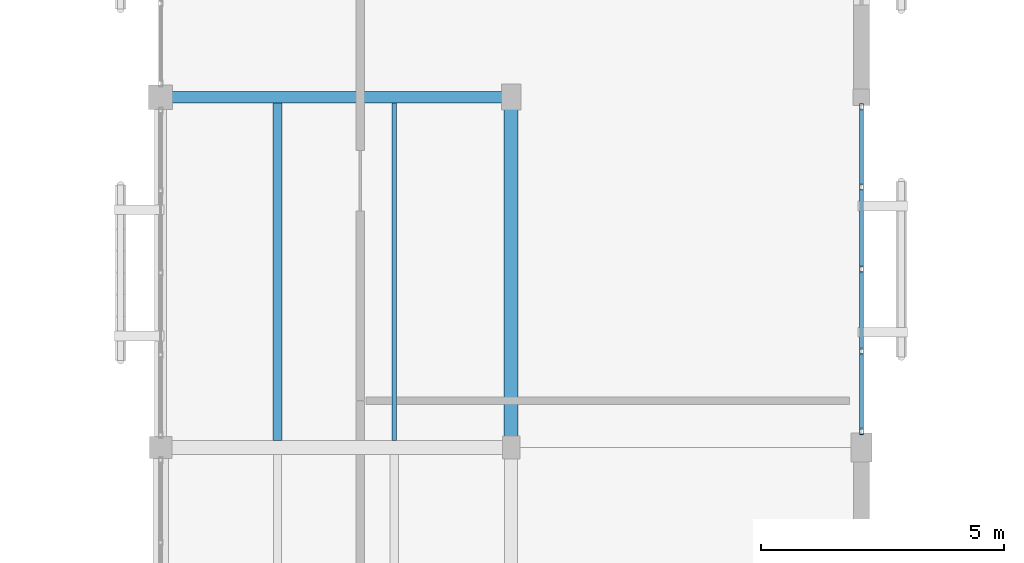
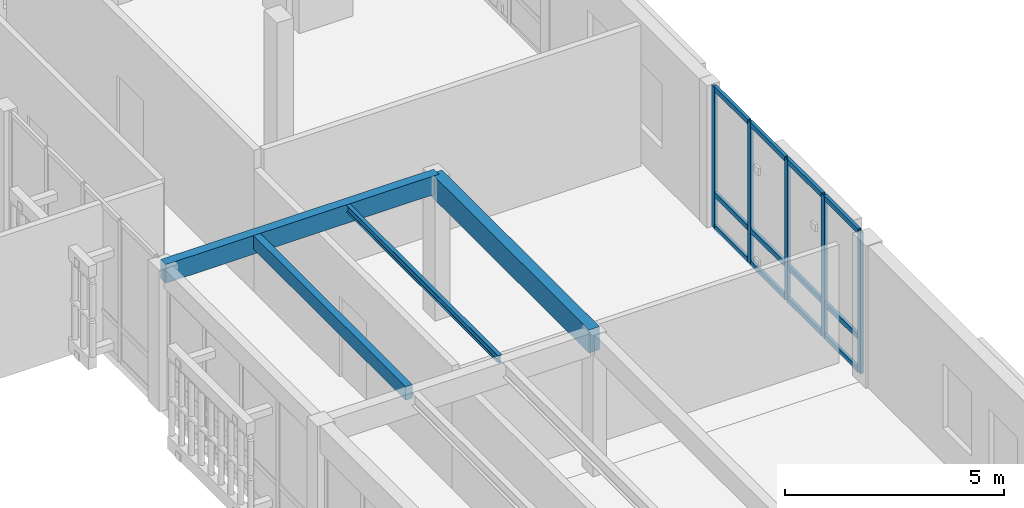
# One storey, part 28 of 61: 17 members, 4 beams, 1 element without a shape of its own.
"""IFC4 building model written with IfcOpenShell, lengths in metres."""

from ifc_helpers import new_model, si_unit, direction, frame, origin, origin_2d, place, context, subcontext, project, spatial, rectangle, hollow_rectangle, i_section, extrude, material, layer, layer_set, material_profile, profile_set, type_object, element, aggregate, save


model = new_model("IFC4")

# Units and contexts
model_context = context("Model", 3, precision=1e-05, world=origin(), true_north=direction((0.0, 1.0)))
body_context = subcontext(model_context, "Body", "Model", "MODEL_VIEW")
ifc_project = project(units=[si_unit("LENGTHUNIT", "METRE"), si_unit("AREAUNIT", "SQUARE_METRE"), si_unit("VOLUMEUNIT", "CUBIC_METRE"), si_unit("PLANEANGLEUNIT", "RADIAN"), si_unit("MASSUNIT", "GRAM", prefix="KILO")], contexts=[model_context])

# Site, building, storey
site_placement = place(None, origin())
site = spatial("IfcSite", under=ifc_project, at=site_placement, CompositionType="ELEMENT")
building_placement = place(site_placement, origin())
building = spatial("IfcBuilding", under=site, at=building_placement, Name="Mazaris Harbour Polytechnic", CompositionType="ELEMENT")
storey_placement = place(building_placement, frame((0.0, 0.0, 18.0)))
storey = spatial("IfcBuildingStorey", under=building, at=storey_placement, Name="L04", CompositionType="ELEMENT", Elevation=18.0)

# Curtain wall, members
ifc_material_1 = material(Name="Anodised Bronze Aluminium and Low-E Glass", Category="aluminium")
ifc_layer = layer(ifc_material_1, 0.159912109375, Name="Anodised Bronze Aluminium and Low-E Glass")
ifc_layer_set = layer_set([ifc_layer], Name="Anodised Bronze Aluminium and Low-E Glass")
curtain_wall_type = type_object("IfcCurtainWallType", Name="Cloister Court Curtain Wall", PredefinedType="NOTDEFINED", material=ifc_layer_set)
curtain_wall_placement = place(storey_placement, origin())
curtain_wall = element("IfcCurtainWall", 1, at=curtain_wall_placement, inside=storey, type_object=curtain_wall_type, Name="V4 L04 Curtain Wall 165", PredefinedType="NOTDEFINED")
ifc_material_2 = material(Name="Anodised Bronze Steel S355", Category="steel")
ifc_material_profile_1 = material_profile(ifc_material_2, hollow_rectangle(XDim=0.080078125, YDim=0.139892578125, WallThickness=0.00634765625, at=origin_2d()), Name="RHS 80x140x6.3")
ifc_profile_set_1 = profile_set([ifc_material_profile_1], Name="Anodised Bronze Steel S355")
member_type_1 = type_object("IfcMemberType", Name="Curtain Mullion RHS80x140", PredefinedType="MULLION", material=ifc_profile_set_1)
member_1_placement = place(storey_placement, frame((43.199951171875, 60.998046875, 0.0), z_axis=(0.0, 0.0, 1.0), x_axis=(1.0, 0.0, 0.0)))
member_1 = element("IfcMember", 2, at=member_1_placement, type_object=member_type_1, Name="CW-02 mullion 1", PredefinedType="MULLION", context=body_context, shape_type="SweptSolid", body=[
    extrude(hollow_rectangle(XDim=0.080078125, YDim=0.139892578125, WallThickness=0.00634765625, at=origin_2d()), origin(), (0.0, 0.0, 1.0), 3.93505859375),
])
member_2_placement = place(storey_placement, frame((43.199951171875, 59.3515625, 0.0), z_axis=(0.0, 0.0, 1.0), x_axis=(1.0, 0.0, 0.0)))
member_2 = element("IfcMember", 3, at=member_2_placement, type_object=member_type_1, Name="CW-02 mullion 2", PredefinedType="MULLION", context=body_context, shape_type="SweptSolid", body=[
    extrude(hollow_rectangle(XDim=0.080078125, YDim=0.139892578125, WallThickness=0.00634765625, at=origin_2d()), origin(), (0.0, 0.0, 1.0), 3.93505859375),
])
member_3_placement = place(storey_placement, frame((43.199951171875, 57.6650390625, 0.0), z_axis=(0.0, 0.0, 1.0), x_axis=(1.0, 0.0, 0.0)))
member_3 = element("IfcMember", 4, at=member_3_placement, type_object=member_type_1, Name="CW-02 mullion 3", PredefinedType="MULLION", context=body_context, shape_type="SweptSolid", body=[
    extrude(hollow_rectangle(XDim=0.080078125, YDim=0.139892578125, WallThickness=0.00634765625, at=origin_2d()), origin(), (0.0, 0.0, 1.0), 3.93505859375),
])
member_4_placement = place(storey_placement, frame((43.199951171875, 55.978515625, 0.0), z_axis=(0.0, 0.0, 1.0), x_axis=(1.0, 0.0, 0.0)))
member_4 = element("IfcMember", 5, at=member_4_placement, type_object=member_type_1, Name="CW-02 mullion 4", PredefinedType="MULLION", context=body_context, shape_type="SweptSolid", body=[
    extrude(hollow_rectangle(XDim=0.080078125, YDim=0.139892578125, WallThickness=0.00634765625, at=origin_2d()), origin(), (0.0, 0.0, 1.0), 3.93505859375),
])
member_5_placement = place(storey_placement, frame((43.199951171875, 54.33203125, 0.0), z_axis=(0.0, 0.0, 1.0), x_axis=(1.0, 0.0, 0.0)))
member_5 = element("IfcMember", 6, at=member_5_placement, type_object=member_type_1, Name="CW-02 mullion 5", PredefinedType="MULLION", context=body_context, shape_type="SweptSolid", body=[
    extrude(hollow_rectangle(XDim=0.080078125, YDim=0.139892578125, WallThickness=0.00634765625, at=origin_2d()), origin(), (0.0, 0.0, 1.0), 3.93505859375),
])
ifc_material_3 = material(Name="Anodised Bronze Steel S355", Category="steel")
ifc_material_profile_2 = material_profile(ifc_material_3, hollow_rectangle(XDim=0.080078125, YDim=0.139892578125, WallThickness=0.00634765625, at=origin_2d()), Name="RHS 80x140x6.3")
ifc_profile_set_2 = profile_set([ifc_material_profile_2], Name="Anodised Bronze Steel S355")
member_type_2 = type_object("IfcMemberType", Name="Curtain Transom RHS80x140", PredefinedType="USERDEFINED", material=ifc_profile_set_2)
member_6_placement = place(storey_placement, frame((43.199951171875, 60.9580078125, 0.0400390625), z_axis=(0.0, -1.0, 0.0), x_axis=(1.0, 0.0, 0.0)))
member_6 = element("IfcMember", 7, at=member_6_placement, type_object=member_type_2, Name="CW-02 transom 1.1", ObjectType="TRANSOM", PredefinedType="USERDEFINED", context=body_context, shape_type="SweptSolid", body=[
    extrude(hollow_rectangle(XDim=0.080078125, YDim=0.139892578125, WallThickness=0.00634765625, at=origin_2d()), origin(), (0.0, 0.0, 1.0), 1.56640625),
])
member_7_placement = place(storey_placement, frame((43.199951171875, 60.9580078125, 0.949951171875), z_axis=(0.0, -1.0, 0.0), x_axis=(1.0, 0.0, 0.0)))
member_7 = element("IfcMember", 8, at=member_7_placement, type_object=member_type_2, Name="CW-02 transom 1.2", ObjectType="TRANSOM", PredefinedType="USERDEFINED", context=body_context, shape_type="SweptSolid", body=[
    extrude(hollow_rectangle(XDim=0.080078125, YDim=0.139892578125, WallThickness=0.00634765625, at=origin_2d()), origin(), (0.0, 0.0, 1.0), 1.56640625),
])
member_8_placement = place(storey_placement, frame((43.199951171875, 60.9580078125, 3.89501953125), z_axis=(0.0, -1.0, 0.0), x_axis=(1.0, 0.0, 0.0)))
member_8 = element("IfcMember", 9, at=member_8_placement, type_object=member_type_2, Name="CW-02 transom 1.3", ObjectType="TRANSOM", PredefinedType="USERDEFINED", context=body_context, shape_type="SweptSolid", body=[
    extrude(hollow_rectangle(XDim=0.080078125, YDim=0.139892578125, WallThickness=0.00634765625, at=origin_2d()), origin(), (0.0, 0.0, 1.0), 1.56640625),
])
member_9_placement = place(storey_placement, frame((43.199951171875, 59.3115234375, 0.0400390625), z_axis=(0.0, -1.0, 0.0), x_axis=(1.0, 0.0, 0.0)))
member_9 = element("IfcMember", 10, at=member_9_placement, type_object=member_type_2, Name="CW-02 transom 2.1", ObjectType="TRANSOM", PredefinedType="USERDEFINED", context=body_context, shape_type="SweptSolid", body=[
    extrude(hollow_rectangle(XDim=0.080078125, YDim=0.139892578125, WallThickness=0.00634765625, at=origin_2d()), origin(), (0.0, 0.0, 1.0), 1.6064453125),
])
member_10_placement = place(storey_placement, frame((43.199951171875, 59.3115234375, 0.949951171875), z_axis=(0.0, -1.0, 0.0), x_axis=(1.0, 0.0, 0.0)))
member_10 = element("IfcMember", 11, at=member_10_placement, type_object=member_type_2, Name="CW-02 transom 2.2", ObjectType="TRANSOM", PredefinedType="USERDEFINED", context=body_context, shape_type="SweptSolid", body=[
    extrude(hollow_rectangle(XDim=0.080078125, YDim=0.139892578125, WallThickness=0.00634765625, at=origin_2d()), origin(), (0.0, 0.0, 1.0), 1.6064453125),
])
member_11_placement = place(storey_placement, frame((43.199951171875, 59.3115234375, 3.89501953125), z_axis=(0.0, -1.0, 0.0), x_axis=(1.0, 0.0, 0.0)))
member_11 = element("IfcMember", 12, at=member_11_placement, type_object=member_type_2, Name="CW-02 transom 2.3", ObjectType="TRANSOM", PredefinedType="USERDEFINED", context=body_context, shape_type="SweptSolid", body=[
    extrude(hollow_rectangle(XDim=0.080078125, YDim=0.139892578125, WallThickness=0.00634765625, at=origin_2d()), origin(), (0.0, 0.0, 1.0), 1.6064453125),
])
member_12_placement = place(storey_placement, frame((43.199951171875, 57.625, 0.0400390625), z_axis=(0.0, -1.0, 0.0), x_axis=(1.0, 0.0, 0.0)))
member_12 = element("IfcMember", 13, at=member_12_placement, type_object=member_type_2, Name="CW-02 transom 3.1", ObjectType="TRANSOM", PredefinedType="USERDEFINED", context=body_context, shape_type="SweptSolid", body=[
    extrude(hollow_rectangle(XDim=0.080078125, YDim=0.139892578125, WallThickness=0.00634765625, at=origin_2d()), origin(), (0.0, 0.0, 1.0), 1.6064453125),
])
member_13_placement = place(storey_placement, frame((43.199951171875, 57.625, 0.949951171875), z_axis=(0.0, -1.0, 0.0), x_axis=(1.0, 0.0, 0.0)))
member_13 = element("IfcMember", 14, at=member_13_placement, type_object=member_type_2, Name="CW-02 transom 3.2", ObjectType="TRANSOM", PredefinedType="USERDEFINED", context=body_context, shape_type="SweptSolid", body=[
    extrude(hollow_rectangle(XDim=0.080078125, YDim=0.139892578125, WallThickness=0.00634765625, at=origin_2d()), origin(), (0.0, 0.0, 1.0), 1.6064453125),
])
member_14_placement = place(storey_placement, frame((43.199951171875, 57.625, 3.89501953125), z_axis=(0.0, -1.0, 0.0), x_axis=(1.0, 0.0, 0.0)))
member_14 = element("IfcMember", 15, at=member_14_placement, type_object=member_type_2, Name="CW-02 transom 3.3", ObjectType="TRANSOM", PredefinedType="USERDEFINED", context=body_context, shape_type="SweptSolid", body=[
    extrude(hollow_rectangle(XDim=0.080078125, YDim=0.139892578125, WallThickness=0.00634765625, at=origin_2d()), origin(), (0.0, 0.0, 1.0), 1.6064453125),
])
member_15_placement = place(storey_placement, frame((43.199951171875, 55.9384765625, 0.0400390625), z_axis=(0.0, -1.0, 0.0), x_axis=(1.0, 0.0, 0.0)))
member_15 = element("IfcMember", 16, at=member_15_placement, type_object=member_type_2, Name="CW-02 transom 4.1", ObjectType="TRANSOM", PredefinedType="USERDEFINED", context=body_context, shape_type="SweptSolid", body=[
    extrude(hollow_rectangle(XDim=0.080078125, YDim=0.139892578125, WallThickness=0.00634765625, at=origin_2d()), origin(), (0.0, 0.0, 1.0), 1.56640625),
])
member_16_placement = place(storey_placement, frame((43.199951171875, 55.9384765625, 0.949951171875), z_axis=(0.0, -1.0, 0.0), x_axis=(1.0, 0.0, 0.0)))
member_16 = element("IfcMember", 17, at=member_16_placement, type_object=member_type_2, Name="CW-02 transom 4.2", ObjectType="TRANSOM", PredefinedType="USERDEFINED", context=body_context, shape_type="SweptSolid", body=[
    extrude(hollow_rectangle(XDim=0.080078125, YDim=0.139892578125, WallThickness=0.00634765625, at=origin_2d()), origin(), (0.0, 0.0, 1.0), 1.56640625),
])
member_17_placement = place(storey_placement, frame((43.199951171875, 55.9384765625, 3.89501953125), z_axis=(0.0, -1.0, 0.0), x_axis=(1.0, 0.0, 0.0)))
member_17 = element("IfcMember", 18, at=member_17_placement, type_object=member_type_2, Name="CW-02 transom 4.3", ObjectType="TRANSOM", PredefinedType="USERDEFINED", context=body_context, shape_type="SweptSolid", body=[
    extrude(hollow_rectangle(XDim=0.080078125, YDim=0.139892578125, WallThickness=0.00634765625, at=origin_2d()), origin(), (0.0, 0.0, 1.0), 1.56640625),
])
aggregate(curtain_wall, [member_1, member_2, member_3, member_4, member_5, member_6, member_7, member_8, member_9, member_10, member_11, member_12, member_13, member_14, member_15, member_16, member_17])

# Beams
ifc_material_4 = material(Name="Glulam GL32h", Category="wood")
ifc_material_profile_3 = material_profile(ifc_material_4, rectangle(XDim=0.239990234375, YDim=0.52001953125, at=origin_2d()), Name="RECT240x520")
ifc_profile_set_3 = profile_set([ifc_material_profile_3], Name="Glulam GL32h")
beam_type_1 = type_object("IfcBeamType", Name="Glulam Girder 240x520 Exterior", PredefinedType="BEAM", material=ifc_profile_set_3)
beam_1_placement = place(storey_placement, frame((28.800048828125, 61.199951171875, 3.675048828125), z_axis=(1.0, 0.0, 0.0), x_axis=(0.0, 1.0, 0.0)))
element("IfcBeam", 19, at=beam_1_placement, inside=storey, type_object=beam_type_1, Name="V4 L04 Girder 2395", PredefinedType="BEAM", context=body_context, shape_type="SweptSolid", body=[
    extrude(rectangle(XDim=0.239990234375, YDim=0.52001953125, at=origin_2d()), origin(), (0.0, 0.0, 1.0), 7.199951171875),
])
ifc_material_5 = material(Name="Glulam GL32h", Category="wood")
ifc_material_profile_4 = material_profile(ifc_material_5, rectangle(XDim=0.280029296875, YDim=0.639892578125, at=origin_2d()), Name="RECT280x640")
ifc_profile_set_4 = profile_set([ifc_material_profile_4], Name="Glulam GL32h")
beam_type_2 = type_object("IfcBeamType", Name="Glulam Girder 280x640 Exterior", PredefinedType="BEAM", material=ifc_profile_set_4)
beam_2_placement = place(storey_placement, frame((36.0, 54.0, 3.614990234375), z_axis=(0.0, 1.0, 0.0), x_axis=(-1.0, 0.0, 0.0)))
element("IfcBeam", 20, at=beam_2_placement, inside=storey, type_object=beam_type_2, Name="V4 L04 Tie Girder 2432", PredefinedType="BEAM", context=body_context, shape_type="SweptSolid", body=[
    extrude(rectangle(XDim=0.280029296875, YDim=0.639892578125, at=origin_2d()), origin(), (0.0, 0.0, 1.0), 7.199951171875),
])
ifc_material_6 = material(Name="Glulam GL28h", Category="wood")
ifc_material_profile_5 = material_profile(ifc_material_6, rectangle(XDim=0.179931640625, YDim=0.3798828125, at=origin_2d()), Name="RECT180x380")
ifc_profile_set_5 = profile_set([ifc_material_profile_5], Name="Glulam GL28h")
beam_type_3 = type_object("IfcBeamType", Name="Glulam Joist 180x380", PredefinedType="JOIST", material=ifc_profile_set_5)
beam_3_placement = place(storey_placement, frame((31.199951171875, 54.139892578125, 3.7451171875), z_axis=(0.0, 1.0, 0.0), x_axis=(-1.0, 0.0, 0.0)))
element("IfcBeam", 21, at=beam_3_placement, inside=storey, type_object=beam_type_3, Name="V4 L04 Floor Joist 2484", PredefinedType="JOIST", context=body_context, shape_type="SweptSolid", body=[
    extrude(rectangle(XDim=0.179931640625, YDim=0.3798828125, at=origin_2d()), origin(), (0.0, 0.0, 1.0), 6.940185546875),
])
ifc_material_7 = material(Name="Steel S355", Category="steel")
ifc_material_profile_6 = material_profile(ifc_material_7, i_section(OverallWidth=0.10009765625, OverallDepth=0.199951171875, WebThickness=0.005615234375, FlangeThickness=0.008544921875, FilletRadius=0.011962890625, at=origin_2d()), Name="IPE 200")
ifc_profile_set_6 = profile_set([ifc_material_profile_6], Name="Steel S355")
beam_type_4 = type_object("IfcBeamType", Name="Steel Joist IPE200", PredefinedType="JOIST", material=ifc_profile_set_6)
beam_4_placement = place(storey_placement, frame((33.60009765625, 54.139892578125, 3.8349609375), z_axis=(0.0, 1.0, 0.0), x_axis=(-1.0, 0.0, 0.0)))
element("IfcBeam", 22, at=beam_4_placement, inside=storey, type_object=beam_type_4, Name="V4 L04 Floor Joist 2485", PredefinedType="JOIST", context=body_context, shape_type="SweptSolid", body=[
    extrude(i_section(OverallWidth=0.10009765625, OverallDepth=0.199951171875, WebThickness=0.005615234375, FlangeThickness=0.008544921875, FilletRadius=0.011962890625, at=origin_2d()), origin(), (0.0, 0.0, 1.0), 6.940185546875),
])

save(model, "model.ifc")
